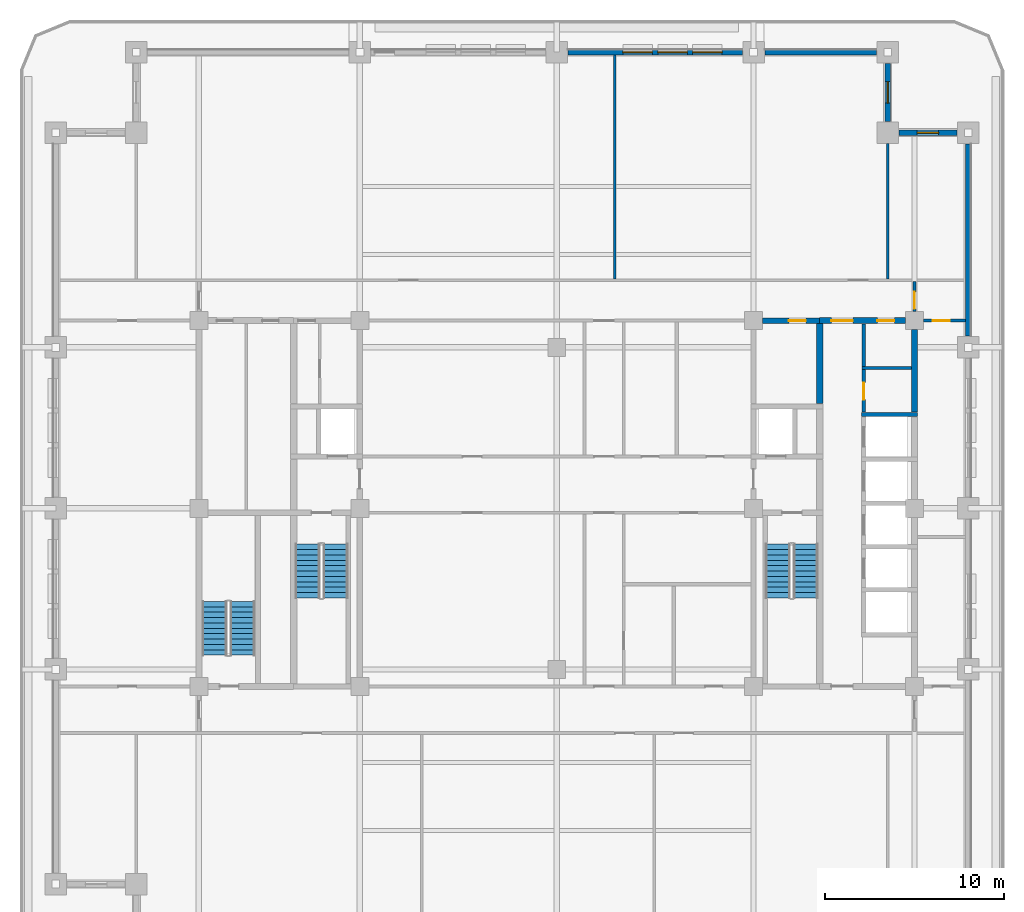
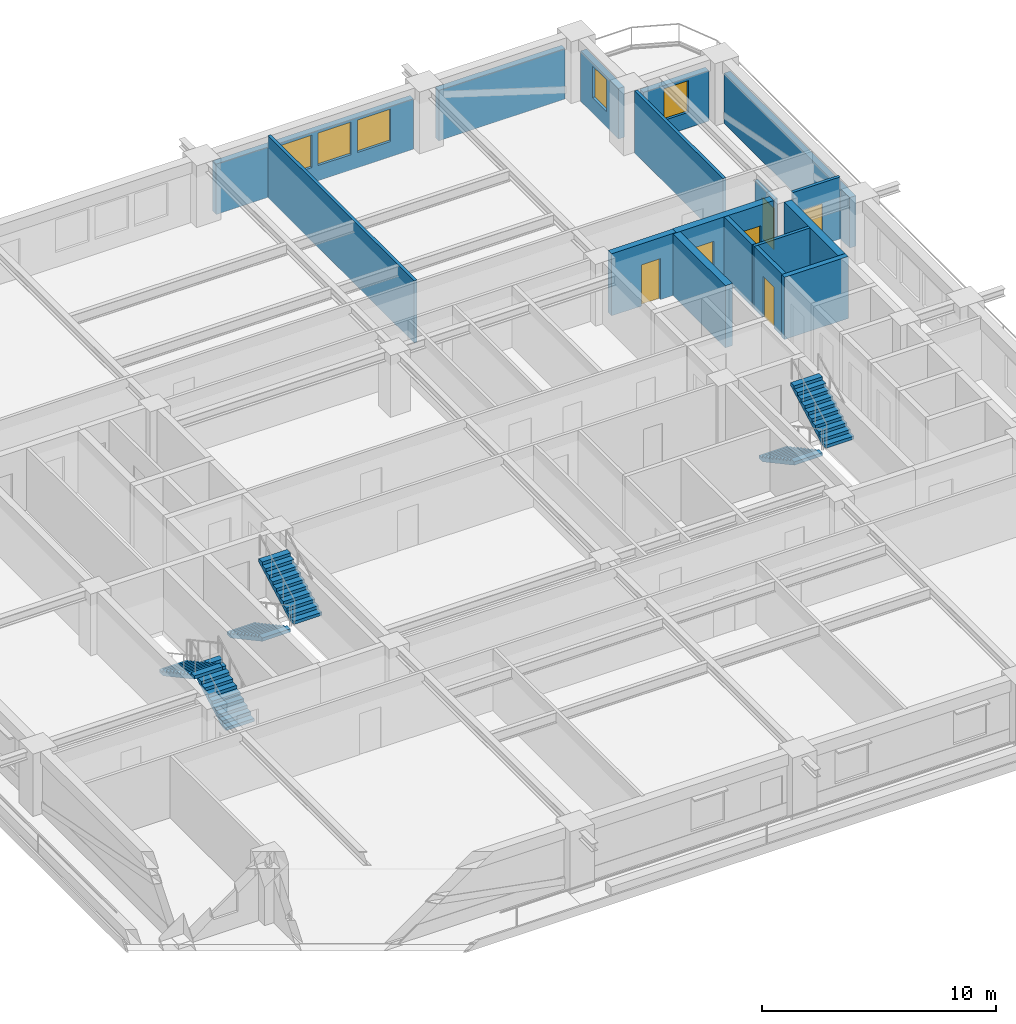
# One storey, part 6 of 15: 17 walls, 6 doors, 6 stair flights, 5 windows, 11 openings, 3 elements without a shape of their own.
"""IFC4 building model written with IfcOpenShell, lengths in metres."""

import ifcopenshell
import ifcopenshell.guid

model = None  # the IFC model being written
_history = None  # IfcOwnerHistory: only IFC2X3 demands one
_inside = {}  # id of a spatial element -> (the spatial element, [elements in it])
_under = {}  # id of a project, library or spatial element -> (it, [spatial elements below it])
_declared = {}  # id of a project -> (the project, [libraries it declares])
_typed = {}  # id of a type object -> (the type object, [elements of that type])
_made_of = {}  # id of a material, layer set ... -> (it, [elements and type objects made of it])


def new_model(schema):
    """Start an empty IFC model of exactly this schema.

    Asked for "IFC4X3", IfcOpenShell would pick the latest addendum, in which some entities
    have other attributes; the version numbers below select the first issue.
    IFC2X3 requires an IfcOwnerHistory on every rooted entity: one is made here for all.
    """
    global model, _history
    if schema == "IFC4X3":
        model = ifcopenshell.file(schema_version=(4, 3, 0, 0))
    else:
        model = ifcopenshell.file(schema=schema)
    _inside.clear()
    _under.clear()
    _declared.clear()
    _typed.clear()
    _made_of.clear()
    _history = None
    if model.schema == "IFC2X3":
        org = make("IfcOrganization", Name="unknown")
        user = make(
            "IfcPersonAndOrganization",
            ThePerson=make("IfcPerson", FamilyName="unknown"),
            TheOrganization=org,
        )
        app = make(
            "IfcApplication",
            ApplicationDeveloper=org,
            Version="unknown",
            ApplicationFullName="unknown",
            ApplicationIdentifier="unknown",
        )
        _history = make(
            "IfcOwnerHistory",
            OwningUser=user,
            OwningApplication=app,
            ChangeAction="ADDED",
            CreationDate=0,
        )
    return model


def make(cls, **values):
    """One entity of the class cls with the attributes given. An attribute that is None is left unset."""
    return model.create_entity(
        cls, **{name: value for name, value in values.items() if value is not None}
    )


def rooted(cls, **values):
    """An entity with a GlobalId (a new one), such as an element, a storey or a relation."""
    return make(cls, GlobalId=ifcopenshell.guid.new(), OwnerHistory=_history, **values)


def si_unit(unit_type, name, prefix=None):
    """IfcSIUnit, for example si_unit("LENGTHUNIT", "METRE", prefix="MILLI")."""
    return make("IfcSIUnit", UnitType=unit_type, Prefix=prefix, Name=name)


def assignment(units):
    """IfcUnitAssignment: the units of a project."""
    return None if units is None else make("IfcUnitAssignment", Units=units)


def point(xyz):
    """IfcCartesianPoint."""
    return None if xyz is None else make("IfcCartesianPoint", Coordinates=xyz)


def direction(xyz):
    """IfcDirection."""
    return None if xyz is None else make("IfcDirection", DirectionRatios=xyz)


def frame(location, z_axis=None, x_axis=None):
    """IfcAxis2Placement3D, a coordinate frame: its origin and axes. An axis left out is left unset."""
    return make(
        "IfcAxis2Placement3D",
        Location=point(location),
        Axis=direction(z_axis),
        RefDirection=direction(x_axis),
    )


def frame_2d(location, x_axis=None):
    """IfcAxis2Placement2D, a coordinate frame in the plane: its origin and x axis."""
    return make(
        "IfcAxis2Placement2D", Location=point(location), RefDirection=direction(x_axis)
    )


def origin():
    """The frame at (0, 0, 0) with its axes left unset."""
    return frame((0.0, 0.0, 0.0))


def place(relative_to, where):
    """IfcLocalPlacement: puts the frame where relative to a parent placement (None: the world)."""
    return make(
        "IfcLocalPlacement", PlacementRelTo=relative_to, RelativePlacement=where
    )


def context(
    kind, dimensions, precision=None, world=None, true_north=None, identifier=None
):
    """IfcGeometricRepresentationContext, for example the 3D "Model" context."""
    return make(
        "IfcGeometricRepresentationContext",
        ContextIdentifier=identifier,
        ContextType=kind,
        CoordinateSpaceDimension=dimensions,
        Precision=precision,
        WorldCoordinateSystem=world,
        TrueNorth=true_north,
    )


def subcontext(parent, identifier, kind, view, scale=None):
    """IfcGeometricRepresentationSubContext, for example "Body" below "Model"."""
    return make(
        "IfcGeometricRepresentationSubContext",
        ContextIdentifier=identifier,
        ContextType=kind,
        ParentContext=parent,
        TargetScale=scale,
        TargetView=view,
    )


def project(units=None, contexts=None):
    """IfcProject with its units and contexts."""
    return rooted(
        "IfcProject",
        Name="project",
        RepresentationContexts=contexts,
        UnitsInContext=assignment(units),
    )


def spatial(cls, under=None, at=None, **own):
    """A site, building, storey or space (cls), placed at a placement, below another one or the project."""
    s = rooted(cls, ObjectPlacement=at, **own)
    if under is not None:
        _under.setdefault(under.id(), (under, []))[1].append(s)
    return s


def polyline(points):
    """IfcPolyline through the points."""
    return make("IfcPolyline", Points=[point(p) for p in points])


def profile(cls, at=None, kind="AREA", **sizes):
    """A parametric profile (cls). Its sizes go by their IFC names, for example OverallWidth=200.0."""
    return make(cls, ProfileType=kind, Position=at, **sizes)


def rectangle(**sizes):
    """IfcRectangleProfileDef."""
    return profile("IfcRectangleProfileDef", **sizes)


def outline(outer, holes=None, kind="AREA"):
    """IfcArbitraryClosedProfileDef: a profile drawn as a closed curve; with holes, ...WithVoids."""
    if holes is None:
        return make("IfcArbitraryClosedProfileDef", ProfileType=kind, OuterCurve=outer)
    return make(
        "IfcArbitraryProfileDefWithVoids",
        ProfileType=kind,
        OuterCurve=outer,
        InnerCurves=holes,
    )


def extrude(swept, where, along, depth):
    """IfcExtrudedAreaSolid: the profile swept, set in the frame where, extruded along a direction by depth."""
    return make(
        "IfcExtrudedAreaSolid",
        SweptArea=swept,
        Position=where,
        ExtrudedDirection=direction(along),
        Depth=depth,
    )


def shape(context_of_items, identifier, shape_type, items):
    """IfcShapeRepresentation: the items that make up one representation, for example the "Body"."""
    return make(
        "IfcShapeRepresentation",
        ContextOfItems=context_of_items,
        RepresentationIdentifier=identifier,
        RepresentationType=shape_type,
        Items=items,
    )


def material(Name=None, Category=None):
    """IfcMaterial."""
    return make("IfcMaterial", Name=Name, Category=Category)


def layer(
    of_material, thickness, ventilated=None, Name=None, Category=None, Priority=None
):
    """IfcMaterialLayer: one layer of a wall or slab, of a material (None: an air gap)."""
    return make(
        "IfcMaterialLayer",
        Material=of_material,
        LayerThickness=thickness,
        IsVentilated=ventilated,
        Name=Name,
        Category=Category,
        Priority=Priority,
    )


def layer_set(layers, Name=None):
    """IfcMaterialLayerSet."""
    return make("IfcMaterialLayerSet", MaterialLayers=layers, LayerSetName=Name)


def made_of(thing, what):
    """Note that an element or type object is made of a material, layer set ...; save() writes the relation."""
    if what is not None:
        _made_of.setdefault(what.id(), (what, []))[1].append(thing)
    return thing


def type_object(cls, material=None, **own):
    """A type object (cls), such as IfcWallType, which elements share."""
    return made_of(rooted(cls, **own), material)


def element(
    cls,
    number,
    at=None,
    inside=None,
    cuts=None,
    type_object=None,
    material=None,
    context=None,
    identifier="Body",
    shape_type=None,
    held_by="IfcProductDefinitionShape",
    body=None,
    shapes=None,
    **own,
):
    """One element of the class cls, such as IfcWall. Its Tag is "e" and its number.

    at: its placement. inside: the storey or other place that contains it. cuts: it is an
    opening in that element (IfcRelVoidsElement). A single representation is given by context,
    identifier, shape_type and body (its items); several are given by shapes. held_by: the class
    of the entity that holds the representations. save() writes the other relations.
    """
    e = rooted(cls, Tag="e%d" % number, ObjectPlacement=at, **own)
    if body is not None:
        shapes = [shape(context, identifier, shape_type, body)]
    if shapes is not None:
        e.Representation = make(held_by, Representations=shapes)
    if inside is not None:
        _inside.setdefault(inside.id(), (inside, []))[1].append(e)
    if cuts is not None:
        rooted(
            "IfcRelVoidsElement", RelatingBuildingElement=cuts, RelatedOpeningElement=e
        )
    if type_object is not None:
        _typed.setdefault(type_object.id(), (type_object, []))[1].append(e)
    return made_of(e, material)


def fill(opening, filler):
    """IfcRelFillsElement: the door or window that sits in an opening."""
    return rooted(
        "IfcRelFillsElement",
        RelatingOpeningElement=opening,
        RelatedBuildingElement=filler,
    )


def aggregate(whole, parts):
    """IfcRelAggregates: a whole, such as a stair, and the parts it consists of."""
    return rooted("IfcRelAggregates", RelatingObject=whole, RelatedObjects=parts)


def save(model, path):
    """Write the relations noted so far, then the file.

    IfcRelAggregates (storeys below a building ...), IfcRelContainedInSpatialStructure (elements
    in a storey), IfcRelDefinesByType, IfcRelAssociatesMaterial and IfcRelDeclares: one each for
    every whole, place, type object, material and project.
    """
    for whole, parts in _under.values():
        aggregate(whole, parts)
    for where, things in _inside.values():
        rooted(
            "IfcRelContainedInSpatialStructure",
            RelatedElements=things,
            RelatingStructure=where,
        )
    for kind, things in _typed.values():
        rooted("IfcRelDefinesByType", RelatedObjects=things, RelatingType=kind)
    for what, things in _made_of.values():
        rooted("IfcRelAssociatesMaterial", RelatedObjects=things, RelatingMaterial=what)
    for by, libraries in _declared.values():
        rooted("IfcRelDeclares", RelatingContext=by, RelatedDefinitions=libraries)
    model.write(path)


model = new_model("IFC4")

# Units and contexts
model_context = context("Model", 3, precision=1e-05, world=origin(), true_north=direction((0.0, 1.0)))
body_context = subcontext(model_context, "Body", "Model", "MODEL_VIEW")
ifc_project = project(units=[si_unit("LENGTHUNIT", "METRE"), si_unit("AREAUNIT", "SQUARE_METRE"), si_unit("VOLUMEUNIT", "CUBIC_METRE"), si_unit("PLANEANGLEUNIT", "RADIAN"), si_unit("MASSUNIT", "GRAM", prefix="KILO")], contexts=[model_context])

# Site, building, storey
site_placement = place(None, origin())
site = spatial("IfcSite", under=ifc_project, at=site_placement, CompositionType="ELEMENT")
building_placement = place(site_placement, origin())
building = spatial("IfcBuilding", under=site, at=building_placement, Name="Zulmaris Gate Convention Tower", CompositionType="ELEMENT")
storey_placement = place(building_placement, frame((0.0, 0.0, 139.199951171875)))
storey = spatial("IfcBuildingStorey", under=building, at=storey_placement, Name="L35", CompositionType="ELEMENT", Elevation=139.199951171875)

# Wall
ifc_material_1 = material(Name="Concrete C50/60", Category="concrete")
ifc_layer_1 = layer(ifc_material_1, 0.25, Name="Concrete C50/60")
ifc_layer_set_1 = layer_set([ifc_layer_1], Name="Concrete C50/60")
wall_type_1 = type_object("IfcWallType", Name="CORE-250", PredefinedType="SOLIDWALL", material=ifc_layer_set_1)
wall_1_placement = place(storey_placement, frame((17.02490234375, 5.25, 0.0), z_axis=(0.0, 0.0, 1.0), x_axis=(1.0, 0.0, 0.0)))
element("IfcWall", 1, at=wall_1_placement, inside=storey, type_object=wall_type_1, Name="WL-L35-014", PredefinedType="SOLIDWALL", context=body_context, shape_type="SweptSolid", body=[
    extrude(rectangle(XDim=3.150146484375, YDim=0.25, at=frame_2d((1.5751953125, 0.0))), origin(), (0.0, 0.0, 1.0), 3.244873046875),
])

# Wall, opening, door
ifc_layer_2 = layer(ifc_material_1, 0.300048828125, Name="Concrete C50/60")
ifc_layer_set_2 = layer_set([ifc_layer_2], Name="Concrete C50/60")
wall_type_2 = type_object("IfcWallType", Name="CORE-300", PredefinedType="SHEAR", material=ifc_layer_set_2)
wall_2_placement = place(storey_placement, frame((11.50390625, 10.5, 0.0), z_axis=(0.0, 0.0, 1.0), x_axis=(1.0, 0.0, 0.0)))
wall_2 = element("IfcWall", 2, at=wall_2_placement, inside=storey, type_object=wall_type_2, Name="WL-L35-019", PredefinedType="SHEAR", context=body_context, shape_type="SweptSolid", body=[
    extrude(rectangle(XDim=3.196044921875, YDim=0.300048828125, at=frame_2d((1.59814453125, 0.0))), origin(), (0.0, 0.0, 1.0), 3.244873046875),
])
opening_1_placement = place(wall_2_placement, frame((1.470947265625, 0.0, 0.0)))
opening_1 = element("IfcOpeningElement", 3, at=opening_1_placement, cuts=wall_2, Name="Opening D-11", PredefinedType="OPENING", context=body_context, shape_type="SweptSolid", body=[
    extrude(rectangle(XDim=0.949951171875, YDim=2.14990234375, at=frame_2d((0.47509765625, 1.074951171875))), frame((0.0, 0.16015625, 0.0), z_axis=(0.0, -1.0, 0.0), x_axis=(1.0, 0.0, 0.0)), (0.0, 0.0, 1.0), 0.320068359375),
])
ifc_material_2 = material(Name="Fire-Rated Timber", Category="wood")
door_type_1 = type_object("IfcDoorType", Name="DR-950-FD", OperationType="NOTDEFINED", PredefinedType="DOOR", material=ifc_material_2)
door_1_placement = place(opening_1_placement, origin())
door_1 = element("IfcDoor", 4, at=door_1_placement, inside=storey, type_object=door_type_1, Name="L35 Core Tea Pantry Door 09", OperationType="SINGLE_SWING_LEFT", OverallHeight=2.14990234375, OverallWidth=0.949951171875, PredefinedType="DOOR", context=body_context, shape_type="SweptSolid", body=[
    extrude(rectangle(XDim=0.949951171875, YDim=2.14990234375, at=frame_2d((0.47509765625, 1.074951171875))), frame((0.0, 0.02490234375, 0.0), z_axis=(0.0, -1.0, 0.0), x_axis=(1.0, 0.0, 0.0)), (0.0, 0.0, 1.0), 0.050048828125),
])
fill(opening_1, door_1)

# Wall, openings, doors
ifc_material_3 = material(Name="Concrete C55/67", Category="concrete")
ifc_layer_3 = layer(ifc_material_3, 0.35009765625, Name="Concrete C55/67")
ifc_layer_set_3 = layer_set([ifc_layer_3], Name="Concrete C55/67")
wall_type_3 = type_object("IfcWallType", Name="CORE-350", PredefinedType="SHEAR", material=ifc_layer_set_3)
wall_3_placement = place(storey_placement, frame((14.699951171875, 10.5, 0.0), z_axis=(0.0, 0.0, 1.0), x_axis=(1.0, 0.0, 0.0)))
wall_3 = element("IfcWall", 5, at=wall_3_placement, inside=storey, type_object=wall_type_3, Name="WL-L35-020", PredefinedType="SHEAR", context=body_context, shape_type="SweptSolid", body=[
    extrude(rectangle(XDim=4.796142578125, YDim=0.35009765625, at=frame_2d((2.39794921875, 0.0))), origin(), (0.0, 0.0, 1.0), 3.244873046875),
])
opening_2_placement = place(wall_3_placement, frame((0.64990234375, 0.0, 0.0)))
opening_2 = element("IfcOpeningElement", 6, at=opening_2_placement, cuts=wall_3, Name="Opening D-13", PredefinedType="OPENING", context=body_context, shape_type="SweptSolid", body=[
    extrude(rectangle(XDim=1.199951171875, YDim=2.14990234375, at=frame_2d((0.60009765625, 1.074951171875))), frame((0.0, 0.18505859375, 0.0), z_axis=(0.0, -1.0, 0.0), x_axis=(1.0, 0.0, 0.0)), (0.0, 0.0, 1.0), 0.3701171875),
])
opening_3_placement = place(wall_3_placement, frame((3.22509765625, 0.0, 0.0)))
opening_3 = element("IfcOpeningElement", 7, at=opening_3_placement, cuts=wall_3, Name="Opening D-11", PredefinedType="OPENING", context=body_context, shape_type="SweptSolid", body=[
    extrude(rectangle(XDim=0.949951171875, YDim=2.14990234375, at=frame_2d((0.47509765625, 1.074951171875))), frame((0.0, 0.18505859375, 0.0), z_axis=(0.0, -1.0, 0.0), x_axis=(1.0, 0.0, 0.0)), (0.0, 0.0, 1.0), 0.3701171875),
])
ifc_material_4 = material(Name="Fire-Rated Steel", Category="steel")
door_type_2 = type_object("IfcDoorType", Name="DR-1200-FD", OperationType="NOTDEFINED", PredefinedType="DOOR", material=ifc_material_4)
door_2_placement = place(opening_2_placement, origin())
door_2 = element("IfcDoor", 8, at=door_2_placement, inside=storey, type_object=door_type_2, Name="L35 East Lift Lobby North Door 18", OperationType="SINGLE_SWING_RIGHT", OverallHeight=2.14990234375, OverallWidth=1.199951171875, PredefinedType="DOOR", context=body_context, shape_type="SweptSolid", body=[
    extrude(rectangle(XDim=1.199951171875, YDim=2.14990234375, at=frame_2d((0.60009765625, 1.074951171875))), frame((0.0, 0.02490234375, 0.0), z_axis=(0.0, -1.0, 0.0), x_axis=(1.0, 0.0, 0.0)), (0.0, 0.0, 1.0), 0.050048828125),
])
fill(opening_2, door_2)
door_3_placement = place(opening_3_placement, origin())
door_3 = element("IfcDoor", 9, at=door_3_placement, inside=storey, type_object=door_type_1, Name="L35 Mid-Rise Supply Door 19", OperationType="SINGLE_SWING_LEFT", OverallHeight=2.14990234375, OverallWidth=0.949951171875, PredefinedType="DOOR", context=body_context, shape_type="SweptSolid", body=[
    extrude(rectangle(XDim=0.949951171875, YDim=2.14990234375, at=frame_2d((0.47509765625, 1.074951171875))), frame((0.0, 0.02490234375, 0.0), z_axis=(0.0, -1.0, 0.0), x_axis=(1.0, 0.0, 0.0)), (0.0, 0.0, 1.0), 0.050048828125),
])
fill(opening_3, door_3)

# Walls
wall_4_placement = place(storey_placement, frame((14.699951171875, 5.85205078125, 0.0), z_axis=(0.0, 0.0, 1.0), x_axis=(0.0, 1.0, 0.0)))
element("IfcWall", 10, at=wall_4_placement, inside=storey, type_object=wall_type_3, Name="WL-L35-056", PredefinedType="SHEAR", context=body_context, shape_type="SweptSolid", body=[
    extrude(rectangle(XDim=4.470947265625, YDim=0.35009765625, at=frame_2d((2.2353515625, 0.0))), origin(), (0.0, 0.0, 1.0), 3.244873046875),
])
wall_5_placement = place(storey_placement, frame((20.0, 5.376953125, 0.0), z_axis=(0.0, 0.0, 1.0), x_axis=(0.0, 1.0, 0.0)))
element("IfcWall", 11, at=wall_5_placement, inside=storey, type_object=wall_type_3, Name="WL-L35-068", PredefinedType="SHEAR", context=body_context, shape_type="SweptSolid", body=[
    extrude(rectangle(XDim=4.619140625, YDim=0.35009765625, at=frame_2d((2.3095703125, 0.0))), origin(), (0.0, 0.0, 1.0), 3.244873046875),
])
ifc_material_5 = material(Name="Gypsum Metal Stud Partition")
ifc_layer_4 = layer(ifc_material_5, 0.14990234375, Name="Gypsum Metal Stud Partition")
ifc_layer_set_4 = layer_set([ifc_layer_4], Name="Gypsum Metal Stud Partition")
wall_type_4 = type_object("IfcWallType", Name="PART-150", PredefinedType="PARTITIONING", material=ifc_layer_set_4)
wall_6_placement = place(storey_placement, frame((17.050048828125, 7.85009765625, 0.0), z_axis=(0.0, 0.0, 1.0), x_axis=(1.0, 0.0, 0.0)))
element("IfcWall", 12, at=wall_6_placement, inside=storey, type_object=wall_type_4, Name="WL-L35-029", PredefinedType="PARTITIONING", context=body_context, shape_type="SweptSolid", body=[
    extrude(rectangle(XDim=2.77197265625, YDim=0.14990234375, at=frame_2d((1.385986328125, 0.0))), origin(), (0.0, 0.0, 1.0), 3.244873046875),
])

# Wall, opening, door
wall_7_placement = place(storey_placement, frame((20.506103515625, 10.5, 0.0), z_axis=(0.0, 0.0, 1.0), x_axis=(1.0, 0.0, 0.0)))
wall_7 = element("IfcWall", 13, at=wall_7_placement, inside=storey, type_object=wall_type_4, Name="WL-L35-032", PredefinedType="PARTITIONING", context=body_context, shape_type="SweptSolid", body=[
    extrude(rectangle(XDim=2.328857421875, YDim=0.14990234375, at=frame_2d((1.16455078125, 0.0))), origin(), (0.0, 0.0, 1.0), 3.244873046875),
])
opening_4_placement = place(wall_7_placement, frame((0.51904296875, 0.0, 0.0)))
opening_4 = element("IfcOpeningElement", 14, at=opening_4_placement, cuts=wall_7, Name="Opening D-11", PredefinedType="OPENING", context=body_context, shape_type="SweptSolid", body=[
    extrude(rectangle(XDim=0.949951171875, YDim=2.14990234375, at=frame_2d((0.47509765625, 1.074951171875))), frame((0.0, 0.0849609375, 0.0), z_axis=(0.0, -1.0, 0.0), x_axis=(1.0, 0.0, 0.0)), (0.0, 0.0, 1.0), 0.169921875),
])
door_4_placement = place(opening_4_placement, origin())
door_4 = element("IfcDoor", 15, at=door_4_placement, inside=storey, type_object=door_type_1, Name="L35 NE Partner Door 43", OperationType="SINGLE_SWING_LEFT", OverallHeight=2.14990234375, OverallWidth=0.949951171875, PredefinedType="DOOR", context=body_context, shape_type="SweptSolid", body=[
    extrude(rectangle(XDim=0.949951171875, YDim=2.14990234375, at=frame_2d((0.47509765625, 1.074951171875))), frame((0.0, 0.02490234375, 0.0), z_axis=(0.0, -1.0, 0.0), x_axis=(1.0, 0.0, 0.0)), (0.0, 0.0, 1.0), 0.050048828125),
])
fill(opening_4, door_4)

# Walls
wall_8_placement = place(storey_placement, frame((3.25, 12.827880859375, 0.0), z_axis=(0.0, 0.0, 1.0), x_axis=(0.0, 1.0, 0.0)))
element("IfcWall", 16, at=wall_8_placement, inside=storey, type_object=wall_type_4, Name="WL-L35-078", PredefinedType="PARTITIONING", context=body_context, shape_type="SweptSolid", body=[
    extrude(rectangle(XDim=12.507080078125, YDim=0.14990234375, at=frame_2d((6.25341796875, 0.0))), origin(), (0.0, 0.0, 1.0), 3.244873046875),
])
wall_9_placement = place(storey_placement, frame((18.5, 12.827880859375, 0.0), z_axis=(0.0, 0.0, 1.0), x_axis=(0.0, 1.0, 0.0)))
element("IfcWall", 17, at=wall_9_placement, inside=storey, type_object=wall_type_4, Name="WL-L35-088", PredefinedType="PARTITIONING", context=body_context, shape_type="SweptSolid", body=[
    extrude(rectangle(XDim=7.566162109375, YDim=0.14990234375, at=frame_2d((3.783203125, 0.0))), origin(), (0.0, 0.0, 1.0), 3.244873046875),
])

# Wall, opening, door
wall_10_placement = place(storey_placement, frame((20.0, 11.006103515625, 0.0), z_axis=(0.0, 0.0, 1.0), x_axis=(0.0, 1.0, 0.0)))
wall_10 = element("IfcWall", 18, at=wall_10_placement, inside=storey, type_object=wall_type_4, Name="WL-L35-090", PredefinedType="PARTITIONING", context=body_context, shape_type="SweptSolid", body=[
    extrude(rectangle(XDim=1.666015625, YDim=0.14990234375, at=frame_2d((0.8330078125, 0.0))), origin(), (0.0, 0.0, 1.0), 2.73486328125),
])
opening_5_placement = place(wall_10_placement, frame((0.14990234375, 0.0, 0.0)))
opening_5 = element("IfcOpeningElement", 19, at=opening_5_placement, cuts=wall_10, Name="Opening D-11", PredefinedType="OPENING", context=body_context, shape_type="SweptSolid", body=[
    extrude(rectangle(XDim=0.949951171875, YDim=2.14990234375, at=frame_2d((0.47509765625, 1.074951171875))), frame((0.0, 0.0849609375, 0.0), z_axis=(0.0, -1.0, 0.0), x_axis=(1.0, 0.0, 0.0)), (0.0, 0.0, 1.0), 0.169921875),
])
door_5_placement = place(opening_5_placement, origin())
door_5 = element("IfcDoor", 20, at=door_5_placement, inside=storey, type_object=door_type_1, Name="L35 NE Spur Door 41", OperationType="SINGLE_SWING_LEFT", OverallHeight=2.14990234375, OverallWidth=0.949951171875, PredefinedType="DOOR", context=body_context, shape_type="SweptSolid", body=[
    extrude(rectangle(XDim=0.949951171875, YDim=2.14990234375, at=frame_2d((0.47509765625, 1.074951171875))), frame((0.0, 0.02490234375, 0.0), z_axis=(0.0, -1.0, 0.0), x_axis=(1.0, 0.0, 0.0)), (0.0, 0.0, 1.0), 0.050048828125),
])
fill(opening_5, door_5)

ifc_material_6 = material(Name="Autoclaved Aerated Concrete Block and Plasterboard", Category="concrete")
ifc_layer_5 = layer(ifc_material_6, 0.199951171875, Name="Autoclaved Aerated Concrete Block and Plasterboard")
ifc_layer_set_5 = layer_set([ifc_layer_5], Name="Autoclaved Aerated Concrete Block and Plasterboard")
wall_type_5 = type_object("IfcWallType", Name="PART-200", PredefinedType="PARTITIONING", material=ifc_layer_set_5)
wall_11_placement = place(storey_placement, frame((17.14990234375, 5.3779296875, 0.0), z_axis=(0.0, 0.0, 1.0), x_axis=(0.0, 1.0, 0.0)))
wall_11 = element("IfcWall", 21, at=wall_11_placement, inside=storey, type_object=wall_type_5, Name="WL-L35-085", PredefinedType="PARTITIONING", context=body_context, shape_type="SweptSolid", body=[
    extrude(rectangle(XDim=2.39404296875, YDim=0.199951171875, at=frame_2d((1.197021484375, 0.0))), origin(), (0.0, 0.0, 1.0), 3.244873046875),
])
opening_6_placement = place(wall_11_placement, frame((0.697021484375, 0.0, 0.0)))
opening_6 = element("IfcOpeningElement", 22, at=opening_6_placement, cuts=wall_11, Name="Opening D-11", PredefinedType="OPENING", context=body_context, shape_type="SweptSolid", body=[
    extrude(rectangle(XDim=0.949951171875, YDim=2.14990234375, at=frame_2d((0.47509765625, 1.074951171875))), frame((0.0, 0.10986328125, 0.0), z_axis=(0.0, -1.0, 0.0), x_axis=(1.0, 0.0, 0.0)), (0.0, 0.0, 1.0), 0.219970703125),
])
door_6_placement = place(opening_6_placement, origin())
door_6 = element("IfcDoor", 23, at=door_6_placement, inside=storey, type_object=door_type_1, Name="L35 Mid-Rise Meter Door 20", OperationType="SINGLE_SWING_RIGHT", OverallHeight=2.14990234375, OverallWidth=0.949951171875, PredefinedType="DOOR", context=body_context, shape_type="SweptSolid", body=[
    extrude(rectangle(XDim=0.949951171875, YDim=2.14990234375, at=frame_2d((0.47509765625, 1.074951171875))), frame((0.0, 0.02490234375, 0.0), z_axis=(0.0, -1.0, 0.0), x_axis=(1.0, 0.0, 0.0)), (0.0, 0.0, 1.0), 0.050048828125),
])
fill(opening_6, door_6)

# Wall
wall_12_placement = place(storey_placement, frame((17.14990234375, 7.927978515625, 0.0), z_axis=(0.0, 0.0, 1.0), x_axis=(0.0, 1.0, 0.0)))
element("IfcWall", 24, at=wall_12_placement, inside=storey, type_object=wall_type_5, Name="WL-L35-086", PredefinedType="PARTITIONING", context=body_context, shape_type="SweptSolid", body=[
    extrude(rectangle(XDim=2.39404296875, YDim=0.199951171875, at=frame_2d((1.197021484375, 0.0))), origin(), (0.0, 0.0, 1.0), 3.244873046875),
])

# Wall, opening, window
ifc_material_7 = material(Name="Precast concrete C40/50", Category="concrete")
ifc_layer_6 = layer(ifc_material_7, 0.300048828125, Name="Precast concrete C40/50")
ifc_layer_set_6 = layer_set([ifc_layer_6], Name="Precast concrete C40/50")
wall_type_6 = type_object("IfcWallType", Name="PRECAST-PIER-300", PredefinedType="STANDARD", material=ifc_layer_set_6)
wall_13_placement = place(storey_placement, frame((22.3701171875, 21.0, 0.0), z_axis=(0.0, 0.0, 1.0), x_axis=(-1.0, 0.0, 0.0)))
wall_13 = element("IfcWall", 25, at=wall_13_placement, inside=storey, type_object=wall_type_6, Name="EW-L35-NOTCH-NE1_0", PredefinedType="STANDARD", context=body_context, shape_type="SweptSolid", body=[
    extrude(rectangle(XDim=3.240234375, YDim=0.300048828125, at=frame_2d((1.6201171875, 0.0))), origin(), (0.0, 0.0, 1.0), 2.636962890625),
])
opening_7_placement = place(wall_13_placement, frame((1.02001953125, 0.0, 0.820068359375)))
opening_7 = element("IfcOpeningElement", 26, at=opening_7_placement, cuts=wall_13, Name="Opening W-04", PredefinedType="OPENING", context=body_context, shape_type="SweptSolid", body=[
    extrude(rectangle(XDim=1.199951171875, YDim=1.64990234375, at=frame_2d((0.60009765625, 0.824951171875))), frame((0.0, 0.16015625, 0.0), z_axis=(0.0, -1.0, 0.0), x_axis=(1.0, 0.0, 0.0)), (0.0, 0.0, 1.0), 0.320068359375),
])
ifc_material_8 = material(Name="Low-E Laminated Double Glazing in Aluminium Frame", Category="aluminium")
window_type_1 = type_object("IfcWindowType", Name="WIN-1200x2100", PartitioningType="SINGLE_PANEL", PredefinedType="WINDOW", material=ifc_material_8)
window_1_placement = place(opening_7_placement, origin())
window_1 = element("IfcWindow", 27, at=window_1_placement, inside=storey, type_object=window_type_1, Name="WN-EW-L35-NOTCH-NE1_0", OverallHeight=1.64990234375, OverallWidth=1.199951171875, PartitioningType="SINGLE_PANEL", PredefinedType="WINDOW", context=body_context, shape_type="SweptSolid", body=[
    extrude(rectangle(XDim=1.199951171875, YDim=1.64990234375, at=frame_2d((0.60009765625, 0.824951171875))), frame((0.0, 0.030029296875, 0.0), z_axis=(0.0, -1.0, 0.0), x_axis=(1.0, 0.0, 0.0)), (0.0, 0.0, 1.0), 0.06005859375),
])
fill(opening_7, window_1)

wall_14_placement = place(storey_placement, frame((18.5, 21.6298828125, 0.0), z_axis=(0.0, 0.0, 1.0), x_axis=(0.0, 1.0, 0.0)))
wall_14 = element("IfcWall", 28, at=wall_14_placement, inside=storey, type_object=wall_type_6, Name="EW-L35-NOTCH-NE2_0", PredefinedType="STANDARD", context=body_context, shape_type="SweptSolid", body=[
    extrude(rectangle(XDim=3.240234375, YDim=0.300048828125, at=frame_2d((1.6201171875, 0.0))), origin(), (0.0, 0.0, 1.0), 2.636962890625),
])
opening_8_placement = place(wall_14_placement, frame((1.02001953125, 0.0, 0.820068359375)))
opening_8 = element("IfcOpeningElement", 29, at=opening_8_placement, cuts=wall_14, Name="Opening W-04", PredefinedType="OPENING", context=body_context, shape_type="SweptSolid", body=[
    extrude(rectangle(XDim=1.199951171875, YDim=1.64990234375, at=frame_2d((0.60009765625, 0.824951171875))), frame((0.0, 0.16015625, 0.0), z_axis=(0.0, -1.0, 0.0), x_axis=(1.0, 0.0, 0.0)), (0.0, 0.0, 1.0), 0.320068359375),
])
window_2_placement = place(opening_8_placement, origin())
window_2 = element("IfcWindow", 30, at=window_2_placement, inside=storey, type_object=window_type_1, Name="WN-EW-L35-NOTCH-NE2_0", OverallHeight=1.64990234375, OverallWidth=1.199951171875, PartitioningType="SINGLE_PANEL", PredefinedType="WINDOW", context=body_context, shape_type="SweptSolid", body=[
    extrude(rectangle(XDim=1.199951171875, YDim=1.64990234375, at=frame_2d((0.60009765625, 0.824951171875))), frame((0.0, 0.030029296875, 0.0), z_axis=(0.0, -1.0, 0.0), x_axis=(1.0, 0.0, 0.0)), (0.0, 0.0, 1.0), 0.06005859375),
])
fill(opening_8, window_2)

# Wall, openings, windows
wall_15_placement = place(storey_placement, frame((10.3701171875, 25.5, 0.0), z_axis=(0.0, 0.0, 1.0), x_axis=(-1.0, 0.0, 0.0)))
wall_15 = element("IfcWall", 31, at=wall_15_placement, inside=storey, type_object=wall_type_6, Name="EW-L35-N-2_0", PredefinedType="STANDARD", context=body_context, shape_type="SweptSolid", body=[
    extrude(rectangle(XDim=9.740234375, YDim=0.300048828125, at=frame_2d((4.8701171875, 0.0))), origin(), (0.0, 0.0, 1.0), 2.636962890625),
])
opening_9_placement = place(wall_15_placement, frame((1.123046875, 0.0, 0.800048828125)))
opening_9 = element("IfcOpeningElement", 32, at=opening_9_placement, cuts=wall_15, Name="Opening W-08", PredefinedType="OPENING", context=body_context, shape_type="SweptSolid", body=[
    extrude(rectangle(XDim=1.64990234375, YDim=1.699951171875, at=frame_2d((0.824951171875, 0.85009765625))), frame((0.0, 0.16015625, 0.0), z_axis=(0.0, -1.0, 0.0), x_axis=(1.0, 0.0, 0.0)), (0.0, 0.0, 1.0), 0.320068359375),
])
opening_10_placement = place(wall_15_placement, frame((3.071044921875, 0.0, 0.800048828125)))
opening_10 = element("IfcOpeningElement", 33, at=opening_10_placement, cuts=wall_15, Name="Opening W-08", PredefinedType="OPENING", context=body_context, shape_type="SweptSolid", body=[
    extrude(rectangle(XDim=1.64990234375, YDim=1.699951171875, at=frame_2d((0.824951171875, 0.85009765625))), frame((0.0, 0.16015625, 0.0), z_axis=(0.0, -1.0, 0.0), x_axis=(1.0, 0.0, 0.0)), (0.0, 0.0, 1.0), 0.320068359375),
])
opening_11_placement = place(wall_15_placement, frame((5.01904296875, 0.0, 0.800048828125)))
opening_11 = element("IfcOpeningElement", 34, at=opening_11_placement, cuts=wall_15, Name="Opening W-08", PredefinedType="OPENING", context=body_context, shape_type="SweptSolid", body=[
    extrude(rectangle(XDim=1.64990234375, YDim=1.699951171875, at=frame_2d((0.824951171875, 0.85009765625))), frame((0.0, 0.16015625, 0.0), z_axis=(0.0, -1.0, 0.0), x_axis=(1.0, 0.0, 0.0)), (0.0, 0.0, 1.0), 0.320068359375),
])
window_type_2 = type_object("IfcWindowType", Name="WIN-1650x2150", PartitioningType="SINGLE_PANEL", PredefinedType="WINDOW", material=ifc_material_8)
window_3_placement = place(opening_9_placement, origin())
window_3 = element("IfcWindow", 35, at=window_3_placement, inside=storey, type_object=window_type_2, Name="WN-EW-L35-N-2_0-1", OverallHeight=1.699951171875, OverallWidth=1.64990234375, PartitioningType="SINGLE_PANEL", PredefinedType="WINDOW", context=body_context, shape_type="SweptSolid", body=[
    extrude(rectangle(XDim=1.64990234375, YDim=1.699951171875, at=frame_2d((0.824951171875, 0.85009765625))), frame((0.0, 0.030029296875, 0.0), z_axis=(0.0, -1.0, 0.0), x_axis=(1.0, 0.0, 0.0)), (0.0, 0.0, 1.0), 0.06005859375),
])
fill(opening_9, window_3)
window_4_placement = place(opening_10_placement, origin())
window_4 = element("IfcWindow", 36, at=window_4_placement, inside=storey, type_object=window_type_2, Name="WN-EW-L35-N-2_0-2", OverallHeight=1.699951171875, OverallWidth=1.64990234375, PartitioningType="SINGLE_PANEL", PredefinedType="WINDOW", context=body_context, shape_type="SweptSolid", body=[
    extrude(rectangle(XDim=1.64990234375, YDim=1.699951171875, at=frame_2d((0.824951171875, 0.85009765625))), frame((0.0, 0.030029296875, 0.0), z_axis=(0.0, -1.0, 0.0), x_axis=(1.0, 0.0, 0.0)), (0.0, 0.0, 1.0), 0.06005859375),
])
fill(opening_10, window_4)
window_5_placement = place(opening_11_placement, origin())
window_5 = element("IfcWindow", 37, at=window_5_placement, inside=storey, type_object=window_type_2, Name="WN-EW-L35-N-2_0-3", OverallHeight=1.699951171875, OverallWidth=1.64990234375, PartitioningType="SINGLE_PANEL", PredefinedType="WINDOW", context=body_context, shape_type="SweptSolid", body=[
    extrude(rectangle(XDim=1.64990234375, YDim=1.699951171875, at=frame_2d((0.824951171875, 0.85009765625))), frame((0.0, 0.030029296875, 0.0), z_axis=(0.0, -1.0, 0.0), x_axis=(1.0, 0.0, 0.0)), (0.0, 0.0, 1.0), 0.06005859375),
])
fill(opening_11, window_5)

# Walls
wall_16_placement = place(storey_placement, frame((17.8701171875, 25.5, 0.0), z_axis=(0.0, 0.0, 1.0), x_axis=(-1.0, 0.0, 0.0)))
element("IfcWall", 38, at=wall_16_placement, inside=storey, type_object=wall_type_6, Name="EW-L35-N-3_0", PredefinedType="STANDARD", context=body_context, shape_type="SweptSolid", body=[
    extrude(rectangle(XDim=6.240234375, YDim=0.300048828125, at=frame_2d((3.1201171875, 0.0))), origin(), (0.0, 0.0, 1.0), 2.636962890625),
])
wall_17_placement = place(storey_placement, frame((23.0, 9.6298828125, 0.0), z_axis=(0.0, 0.0, 1.0), x_axis=(0.0, 1.0, 0.0)))
element("IfcWall", 39, at=wall_17_placement, inside=storey, type_object=wall_type_6, Name="EW-L35-E-3_0", PredefinedType="STANDARD", context=body_context, shape_type="SweptSolid", body=[
    extrude(rectangle(XDim=10.740234375, YDim=0.300048828125, at=frame_2d((5.3701171875, 0.0))), origin(), (0.0, 0.0, 1.0), 2.636962890625),
])

# Stair, stair flights
ifc_material_9 = material(Name="Concrete C45/55", Category="concrete")
stair_type = type_object("IfcStairType", Name="ST-CORE-DOGLEG", PredefinedType="HALF_TURN_STAIR", material=ifc_material_9)
stair_1_placement = place(storey_placement, origin())
stair_1 = element("IfcStair", 40, at=stair_1_placement, inside=storey, type_object=stair_type, Name="L35 Core Exit Stair ST-1", PredefinedType="HALF_TURN_STAIR")
ifc_layer_7 = layer(ifc_material_9, 0.14990234375, Name="Concrete C45/55")
ifc_layer_set_7 = layer_set([ifc_layer_7], Name="Concrete C45/55")
stair_flight_type = type_object("IfcStairFlightType", Name="STF-RC150", PredefinedType="STRAIGHT", material=ifc_layer_set_7)
stair_flight_1_placement = place(storey_placement, frame((-13.919921875, -2.0, 0.0), z_axis=(0.0, 0.0, 1.0), x_axis=(0.0, -1.0, 0.0)))
stair_flight_1 = element("IfcStairFlight", 41, at=stair_flight_1_placement, type_object=stair_flight_type, Name="ST-1 flight 1", NumberOfRisers=11, NumberOfTreads=10, PredefinedType="STRAIGHT", RiserHeight=0.162263636, TreadLength=0.3, context=body_context, shape_type="SweptSolid", body=[
    extrude(outline(polyline([(0.0, 0.0), (0.0, 0.162353515625), (0.300048828125, 0.162353515625), (0.300048828125, 0.324462890625), (0.60009765625, 0.324462890625), (0.60009765625, 0.48681640625), (0.89990234375, 0.48681640625), (0.89990234375, 0.649169921875), (1.199951171875, 0.649169921875), (1.199951171875, 0.811279296875), (1.5, 0.811279296875), (1.5, 0.9736328125), (1.800048828125, 0.9736328125), (1.800048828125, 1.1357421875), (2.10009765625, 1.1357421875), (2.10009765625, 1.298095703125), (2.39990234375, 1.298095703125), (2.39990234375, 1.46044921875), (2.699951171875, 1.46044921875), (2.699951171875, 1.62255859375), (3.0, 1.62255859375), (3.0, 1.784912109375), (3.0, 1.4521484375), (0.315185546875, 0.0), (0.0, 0.0)])), frame((0.0, 0.699951171875, 0.0), z_axis=(0.0, -1.0, 0.0), x_axis=(1.0, 0.0, 0.0)), (0.0, 0.0, 1.0), 1.39990234375),
])
stair_flight_2_placement = place(storey_placement, frame((-12.360107421875, -5.0, 1.784912109375), z_axis=(0.0, 0.0, 1.0), x_axis=(0.0, 1.0, 0.0)))
stair_flight_2 = element("IfcStairFlight", 42, at=stair_flight_2_placement, type_object=stair_flight_type, Name="ST-1 flight 2", NumberOfRisers=11, NumberOfTreads=10, PredefinedType="STRAIGHT", RiserHeight=0.162263636, TreadLength=0.3, context=body_context, shape_type="SweptSolid", body=[
    extrude(outline(polyline([(0.0, 0.0), (0.0, 0.162353515625), (0.300048828125, 0.162353515625), (0.300048828125, 0.324462890625), (0.60009765625, 0.324462890625), (0.60009765625, 0.48681640625), (0.89990234375, 0.48681640625), (0.89990234375, 0.649169921875), (1.199951171875, 0.649169921875), (1.199951171875, 0.811279296875), (1.5, 0.811279296875), (1.5, 0.9736328125), (1.800048828125, 0.9736328125), (1.800048828125, 1.1357421875), (2.10009765625, 1.1357421875), (2.10009765625, 1.298095703125), (2.39990234375, 1.298095703125), (2.39990234375, 1.46044921875), (2.699951171875, 1.46044921875), (2.699951171875, 1.62255859375), (3.0, 1.62255859375), (3.0, 1.784912109375), (3.0, 1.4521484375), (0.315185546875, 0.0), (0.0, 0.0)])), frame((0.0, 0.699951171875, 0.0), z_axis=(0.0, -1.0, 0.0), x_axis=(1.0, 0.0, 0.0)), (0.0, 0.0, 1.0), 1.39990234375),
])
aggregate(stair_1, [stair_flight_1, stair_flight_2])

stair_2_placement = place(storey_placement, origin())
stair_2 = element("IfcStair", 43, at=stair_2_placement, inside=storey, type_object=stair_type, Name="L35 Core Exit Stair ST-2", PredefinedType="HALF_TURN_STAIR")
stair_flight_3_placement = place(storey_placement, frame((12.360107421875, -2.0, 0.0), z_axis=(0.0, 0.0, 1.0), x_axis=(0.0, -1.0, 0.0)))
stair_flight_3 = element("IfcStairFlight", 44, at=stair_flight_3_placement, type_object=stair_flight_type, Name="ST-2 flight 1", NumberOfRisers=11, NumberOfTreads=10, PredefinedType="STRAIGHT", RiserHeight=0.162263636, TreadLength=0.3, context=body_context, shape_type="SweptSolid", body=[
    extrude(outline(polyline([(0.0, 0.0), (0.0, 0.162353515625), (0.300048828125, 0.162353515625), (0.300048828125, 0.324462890625), (0.60009765625, 0.324462890625), (0.60009765625, 0.48681640625), (0.89990234375, 0.48681640625), (0.89990234375, 0.649169921875), (1.199951171875, 0.649169921875), (1.199951171875, 0.811279296875), (1.5, 0.811279296875), (1.5, 0.9736328125), (1.800048828125, 0.9736328125), (1.800048828125, 1.1357421875), (2.10009765625, 1.1357421875), (2.10009765625, 1.298095703125), (2.39990234375, 1.298095703125), (2.39990234375, 1.46044921875), (2.699951171875, 1.46044921875), (2.699951171875, 1.62255859375), (3.0, 1.62255859375), (3.0, 1.784912109375), (3.0, 1.4521484375), (0.315185546875, 0.0), (0.0, 0.0)])), frame((0.0, 0.699951171875, 0.0), z_axis=(0.0, -1.0, 0.0), x_axis=(1.0, 0.0, 0.0)), (0.0, 0.0, 1.0), 1.39990234375),
])
stair_flight_4_placement = place(storey_placement, frame((13.919921875, -5.0, 1.784912109375), z_axis=(0.0, 0.0, 1.0), x_axis=(0.0, 1.0, 0.0)))
stair_flight_4 = element("IfcStairFlight", 45, at=stair_flight_4_placement, type_object=stair_flight_type, Name="ST-2 flight 2", NumberOfRisers=11, NumberOfTreads=10, PredefinedType="STRAIGHT", RiserHeight=0.162263636, TreadLength=0.3, context=body_context, shape_type="SweptSolid", body=[
    extrude(outline(polyline([(0.0, 0.0), (0.0, 0.162353515625), (0.300048828125, 0.162353515625), (0.300048828125, 0.324462890625), (0.60009765625, 0.324462890625), (0.60009765625, 0.48681640625), (0.89990234375, 0.48681640625), (0.89990234375, 0.649169921875), (1.199951171875, 0.649169921875), (1.199951171875, 0.811279296875), (1.5, 0.811279296875), (1.5, 0.9736328125), (1.800048828125, 0.9736328125), (1.800048828125, 1.1357421875), (2.10009765625, 1.1357421875), (2.10009765625, 1.298095703125), (2.39990234375, 1.298095703125), (2.39990234375, 1.46044921875), (2.699951171875, 1.46044921875), (2.699951171875, 1.62255859375), (3.0, 1.62255859375), (3.0, 1.784912109375), (3.0, 1.4521484375), (0.315185546875, 0.0), (0.0, 0.0)])), frame((0.0, 0.699951171875, 0.0), z_axis=(0.0, -1.0, 0.0), x_axis=(1.0, 0.0, 0.0)), (0.0, 0.0, 1.0), 1.39990234375),
])
aggregate(stair_2, [stair_flight_3, stair_flight_4])

stair_3_placement = place(storey_placement, origin())
stair_3 = element("IfcStair", 46, at=stair_3_placement, inside=storey, type_object=stair_type, Name="L35 Core Exit Stair ST-3", PredefinedType="HALF_TURN_STAIR")
stair_flight_5_placement = place(storey_placement, frame((-17.56005859375, -8.199951171875, 0.0), z_axis=(0.0, 0.0, 1.0), x_axis=(0.0, 1.0, 0.0)))
stair_flight_5 = element("IfcStairFlight", 47, at=stair_flight_5_placement, type_object=stair_flight_type, Name="ST-3 flight 1", NumberOfRisers=11, NumberOfTreads=10, PredefinedType="STRAIGHT", RiserHeight=0.162263636, TreadLength=0.3, context=body_context, shape_type="SweptSolid", body=[
    extrude(outline(polyline([(0.0, 0.0), (0.0, 0.162353515625), (0.300048828125, 0.162353515625), (0.300048828125, 0.324462890625), (0.60009765625, 0.324462890625), (0.60009765625, 0.48681640625), (0.89990234375, 0.48681640625), (0.89990234375, 0.649169921875), (1.199951171875, 0.649169921875), (1.199951171875, 0.811279296875), (1.5, 0.811279296875), (1.5, 0.9736328125), (1.800048828125, 0.9736328125), (1.800048828125, 1.1357421875), (2.10009765625, 1.1357421875), (2.10009765625, 1.298095703125), (2.39990234375, 1.298095703125), (2.39990234375, 1.46044921875), (2.699951171875, 1.46044921875), (2.699951171875, 1.62255859375), (3.0, 1.62255859375), (3.0, 1.784912109375), (3.0, 1.4521484375), (0.315185546875, 0.0), (0.0, 0.0)])), frame((0.0, 0.699951171875, 0.0), z_axis=(0.0, -1.0, 0.0), x_axis=(1.0, 0.0, 0.0)), (0.0, 0.0, 1.0), 1.39990234375),
])
stair_flight_6_placement = place(storey_placement, frame((-19.1201171875, -5.199951171875, 1.784912109375), z_axis=(0.0, 0.0, 1.0), x_axis=(0.0, -1.0, 0.0)))
stair_flight_6 = element("IfcStairFlight", 48, at=stair_flight_6_placement, type_object=stair_flight_type, Name="ST-3 flight 2", NumberOfRisers=11, NumberOfTreads=10, PredefinedType="STRAIGHT", RiserHeight=0.162263636, TreadLength=0.3, context=body_context, shape_type="SweptSolid", body=[
    extrude(outline(polyline([(0.0, 0.0), (0.0, 0.162353515625), (0.300048828125, 0.162353515625), (0.300048828125, 0.324462890625), (0.60009765625, 0.324462890625), (0.60009765625, 0.48681640625), (0.89990234375, 0.48681640625), (0.89990234375, 0.649169921875), (1.199951171875, 0.649169921875), (1.199951171875, 0.811279296875), (1.5, 0.811279296875), (1.5, 0.9736328125), (1.800048828125, 0.9736328125), (1.800048828125, 1.1357421875), (2.10009765625, 1.1357421875), (2.10009765625, 1.298095703125), (2.39990234375, 1.298095703125), (2.39990234375, 1.46044921875), (2.699951171875, 1.46044921875), (2.699951171875, 1.62255859375), (3.0, 1.62255859375), (3.0, 1.784912109375), (3.0, 1.4521484375), (0.315185546875, 0.0), (0.0, 0.0)])), frame((0.0, 0.699951171875, 0.0), z_axis=(0.0, -1.0, 0.0), x_axis=(1.0, 0.0, 0.0)), (0.0, 0.0, 1.0), 1.39990234375),
])
aggregate(stair_3, [stair_flight_5, stair_flight_6])

save(model, "model.ifc")
